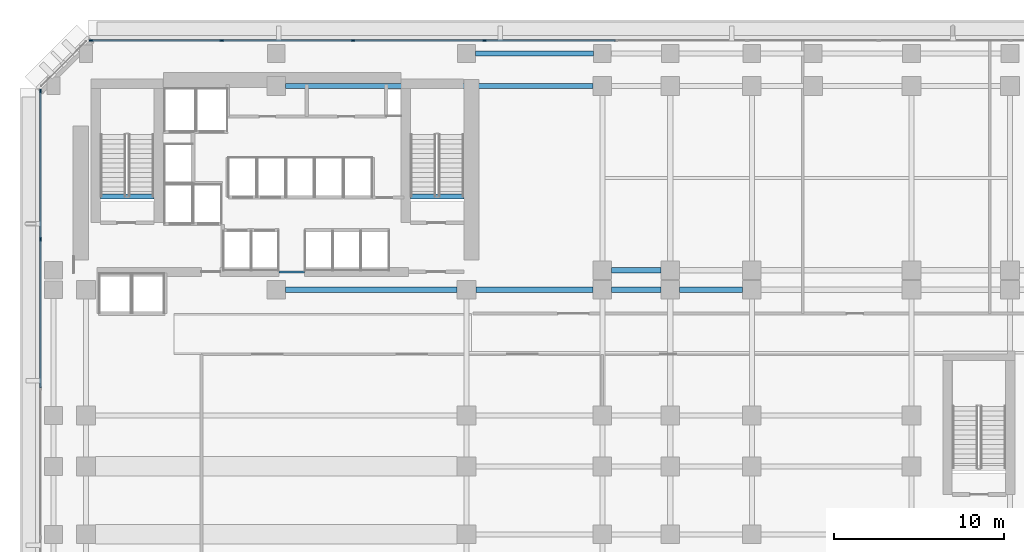
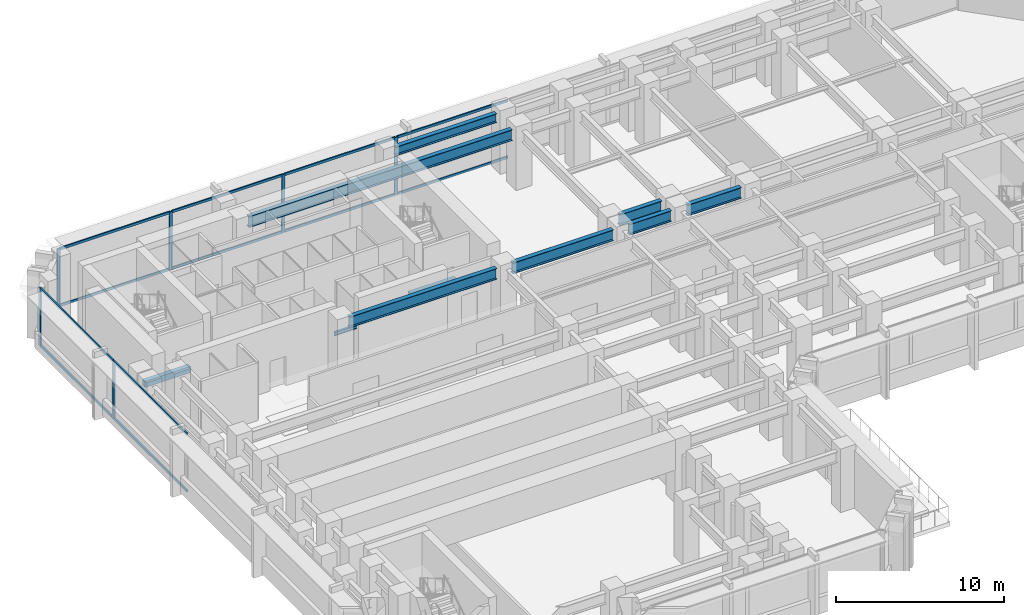
# One storey, part 4 of 16: 18 members, 10 beams, 2 elements without a shape of their own.
"""IFC4 building model written with IfcOpenShell, lengths in metres."""

from ifc_helpers import new_model, si_unit, direction, frame, origin, origin_2d, place, context, subcontext, project, spatial, rectangle, i_section, extrude, material, layer, layer_set, material_profile, profile_set, type_object, element, aggregate, save


model = new_model("IFC4")

# Units and contexts
model_context = context("Model", 3, precision=1e-05, world=origin(), true_north=direction((0.0, 1.0)))
body_context = subcontext(model_context, "Body", "Model", "MODEL_VIEW")
ifc_project = project(units=[si_unit("LENGTHUNIT", "METRE"), si_unit("AREAUNIT", "SQUARE_METRE"), si_unit("VOLUMEUNIT", "CUBIC_METRE"), si_unit("PLANEANGLEUNIT", "RADIAN"), si_unit("MASSUNIT", "GRAM", prefix="KILO")], contexts=[model_context])

# Site, building, storey
site_placement = place(None, origin())
site = spatial("IfcSite", under=ifc_project, at=site_placement, CompositionType="ELEMENT")
building_placement = place(site_placement, origin())
building = spatial("IfcBuilding", under=site, at=building_placement, Name="Kefirva Bronze Tower", CompositionType="ELEMENT")
storey_placement = place(building_placement, frame((0.0, 0.0, 21.1201171875)))
storey = spatial("IfcBuildingStorey", under=building, at=storey_placement, Name="L04", CompositionType="ELEMENT", Elevation=21.1201171875)

# Curtain wall, members
ifc_material_1 = material(Name="Bronze anodised aluminium", Category="aluminium")
ifc_layer = layer(ifc_material_1, 0.239990234375, Name="Bronze anodised aluminium")
ifc_layer_set = layer_set([ifc_layer], Name="Bronze anodised aluminium")
curtain_wall_type = type_object("IfcCurtainWallType", Name="Podium Double-Height Glazed Curtain Wall", PredefinedType="USERDEFINED", material=ifc_layer_set)
curtain_wall_1_placement = place(storey_placement, origin())
curtain_wall_1 = element("IfcCurtainWall", 1, at=curtain_wall_1_placement, inside=storey, type_object=curtain_wall_type, Name="L04 Curtain Wall 4", ObjectType="UNITISED CURTAIN WALL", PredefinedType="USERDEFINED")
ifc_material_profile_1 = material_profile(ifc_material_1, rectangle(XDim=0.090087890625, YDim=0.219970703125, at=origin_2d()), Name="ALU 90x220")
ifc_profile_set_1 = profile_set([ifc_material_profile_1], Name="Bronze anodised aluminium")
member_type_1 = type_object("IfcMemberType", Name="Bronze Mullion 90x220", PredefinedType="MULLION", material=ifc_profile_set_1)
member_1_placement = place(storey_placement, frame((24.263671875, 47.8798828125, 0.0), z_axis=(0.0, 0.0, 1.0), x_axis=(0.0, -1.0, 0.0)))
member_1 = element("IfcMember", 2, at=member_1_placement, type_object=member_type_1, Name="CW-05 mullion 6", PredefinedType="MULLION", context=body_context, shape_type="SweptSolid", body=[
    extrude(rectangle(XDim=0.090087890625, YDim=0.219970703125, at=origin_2d()), origin(), (0.0, 0.0, 1.0), 4.199951171875),
])
member_2_placement = place(storey_placement, frame((16.527587890625, 47.8798828125, 0.0), z_axis=(0.0, 0.0, 1.0), x_axis=(0.0, -1.0, 0.0)))
member_2 = element("IfcMember", 3, at=member_2_placement, type_object=member_type_1, Name="CW-05 mullion 7", PredefinedType="MULLION", context=body_context, shape_type="SweptSolid", body=[
    extrude(rectangle(XDim=0.090087890625, YDim=0.219970703125, at=origin_2d()), origin(), (0.0, 0.0, 1.0), 4.199951171875),
])
member_3_placement = place(storey_placement, frame((8.791259765625, 47.8798828125, 0.0), z_axis=(0.0, 0.0, 1.0), x_axis=(0.0, -1.0, 0.0)))
member_3 = element("IfcMember", 4, at=member_3_placement, type_object=member_type_1, Name="CW-05 mullion 8", PredefinedType="MULLION", context=body_context, shape_type="SweptSolid", body=[
    extrude(rectangle(XDim=0.090087890625, YDim=0.219970703125, at=origin_2d()), origin(), (0.0, 0.0, 1.0), 4.199951171875),
])
member_4_placement = place(storey_placement, frame((1.10009765625, 47.8798828125, 0.0), z_axis=(0.0, 0.0, 1.0), x_axis=(0.0, -1.0, 0.0)))
member_4 = element("IfcMember", 5, at=member_4_placement, type_object=member_type_1, Name="CW-05 mullion 9", PredefinedType="MULLION", context=body_context, shape_type="SweptSolid", body=[
    extrude(rectangle(XDim=0.090087890625, YDim=0.219970703125, at=origin_2d()), origin(), (0.0, 0.0, 1.0), 4.199951171875),
])

curtain_wall_2_placement = place(storey_placement, origin())
curtain_wall_2 = element("IfcCurtainWall", 6, at=curtain_wall_2_placement, inside=storey, type_object=curtain_wall_type, Name="L04 Curtain Wall 5", ObjectType="UNITISED CURTAIN WALL", PredefinedType="USERDEFINED")
member_5_placement = place(storey_placement, frame((-1.8798828125, 44.89990234375, 0.0), z_axis=(0.0, 0.0, 1.0), x_axis=(1.0, 0.0, 0.0)))
member_5 = element("IfcMember", 7, at=member_5_placement, type_object=member_type_1, Name="CW-05 mullion 1", PredefinedType="MULLION", context=body_context, shape_type="SweptSolid", body=[
    extrude(rectangle(XDim=0.090087890625, YDim=0.219970703125, at=origin_2d()), origin(), (0.0, 0.0, 1.0), 4.199951171875),
])
member_6_placement = place(storey_placement, frame((-1.8798828125, 36.1669921875, 0.0), z_axis=(0.0, 0.0, 1.0), x_axis=(1.0, 0.0, 0.0)))
member_6 = element("IfcMember", 8, at=member_6_placement, type_object=member_type_1, Name="CW-05 mullion 2", PredefinedType="MULLION", context=body_context, shape_type="SweptSolid", body=[
    extrude(rectangle(XDim=0.090087890625, YDim=0.219970703125, at=origin_2d()), origin(), (0.0, 0.0, 1.0), 4.199951171875),
])

# Member
ifc_material_profile_2 = material_profile(ifc_material_1, rectangle(XDim=0.090087890625, YDim=0.179931640625, at=origin_2d()), Name="ALU 90x180")
ifc_profile_set_2 = profile_set([ifc_material_profile_2], Name="Bronze anodised aluminium")
member_type_2 = type_object("IfcMemberType", Name="Bronze Transom 90x180", PredefinedType="USERDEFINED", material=ifc_profile_set_2)
member_7_placement = place(storey_placement, frame((31.955078125, 47.8798828125, 0.044921875), z_axis=(-1.0, 0.0, 0.0), x_axis=(0.0, -1.0, 0.0)))
member_7 = element("IfcMember", 9, at=member_7_placement, type_object=member_type_2, Name="CW-05 transom 5.1", ObjectType="TRANSOM", PredefinedType="USERDEFINED", context=body_context, shape_type="SweptSolid", body=[
    extrude(rectangle(XDim=0.090087890625, YDim=0.179931640625, at=origin_2d()), origin(), (0.0, 0.0, 1.0), 7.646240234375),
])

member_8_placement = place(storey_placement, frame((31.955078125, 47.8798828125, 4.15478515625), z_axis=(-1.0, 0.0, 0.0), x_axis=(0.0, -1.0, 0.0)))
member_8 = element("IfcMember", 10, at=member_8_placement, type_object=member_type_2, Name="CW-05 transom 5.2", ObjectType="TRANSOM", PredefinedType="USERDEFINED", context=body_context, shape_type="SweptSolid", body=[
    extrude(rectangle(XDim=0.090087890625, YDim=0.179931640625, at=origin_2d()), origin(), (0.0, 0.0, 1.0), 7.646240234375),
])

member_9_placement = place(storey_placement, frame((24.21875, 47.8798828125, 0.044921875), z_axis=(-1.0, 0.0, 0.0), x_axis=(0.0, -1.0, 0.0)))
member_9 = element("IfcMember", 11, at=member_9_placement, type_object=member_type_2, Name="CW-05 transom 6.1", ObjectType="TRANSOM", PredefinedType="USERDEFINED", context=body_context, shape_type="SweptSolid", body=[
    extrude(rectangle(XDim=0.090087890625, YDim=0.179931640625, at=origin_2d()), origin(), (0.0, 0.0, 1.0), 7.646240234375),
])

member_10_placement = place(storey_placement, frame((24.21875, 47.8798828125, 4.15478515625), z_axis=(-1.0, 0.0, 0.0), x_axis=(0.0, -1.0, 0.0)))
member_10 = element("IfcMember", 12, at=member_10_placement, type_object=member_type_2, Name="CW-05 transom 6.2", ObjectType="TRANSOM", PredefinedType="USERDEFINED", context=body_context, shape_type="SweptSolid", body=[
    extrude(rectangle(XDim=0.090087890625, YDim=0.179931640625, at=origin_2d()), origin(), (0.0, 0.0, 1.0), 7.646240234375),
])

member_11_placement = place(storey_placement, frame((16.482421875, 47.8798828125, 0.044921875), z_axis=(-1.0, 0.0, 0.0), x_axis=(0.0, -1.0, 0.0)))
member_11 = element("IfcMember", 13, at=member_11_placement, type_object=member_type_2, Name="CW-05 transom 7.1", ObjectType="TRANSOM", PredefinedType="USERDEFINED", context=body_context, shape_type="SweptSolid", body=[
    extrude(rectangle(XDim=0.090087890625, YDim=0.179931640625, at=origin_2d()), origin(), (0.0, 0.0, 1.0), 7.646240234375),
])

member_12_placement = place(storey_placement, frame((16.482421875, 47.8798828125, 4.15478515625), z_axis=(-1.0, 0.0, 0.0), x_axis=(0.0, -1.0, 0.0)))
member_12 = element("IfcMember", 14, at=member_12_placement, type_object=member_type_2, Name="CW-05 transom 7.2", ObjectType="TRANSOM", PredefinedType="USERDEFINED", context=body_context, shape_type="SweptSolid", body=[
    extrude(rectangle(XDim=0.090087890625, YDim=0.179931640625, at=origin_2d()), origin(), (0.0, 0.0, 1.0), 7.646240234375),
])

member_13_placement = place(storey_placement, frame((8.746337890625, 47.8798828125, 0.044921875), z_axis=(-1.0, 0.0, 0.0), x_axis=(0.0, -1.0, 0.0)))
member_13 = element("IfcMember", 15, at=member_13_placement, type_object=member_type_2, Name="CW-05 transom 8.1", ObjectType="TRANSOM", PredefinedType="USERDEFINED", context=body_context, shape_type="SweptSolid", body=[
    extrude(rectangle(XDim=0.090087890625, YDim=0.179931640625, at=origin_2d()), origin(), (0.0, 0.0, 1.0), 7.601318359375),
])

member_14_placement = place(storey_placement, frame((8.746337890625, 47.8798828125, 4.15478515625), z_axis=(-1.0, 0.0, 0.0), x_axis=(0.0, -1.0, 0.0)))
member_14 = element("IfcMember", 16, at=member_14_placement, type_object=member_type_2, Name="CW-05 transom 8.2", ObjectType="TRANSOM", PredefinedType="USERDEFINED", context=body_context, shape_type="SweptSolid", body=[
    extrude(rectangle(XDim=0.090087890625, YDim=0.179931640625, at=origin_2d()), origin(), (0.0, 0.0, 1.0), 7.601318359375),
])

aggregate(curtain_wall_1, [member_1, member_2, member_3, member_4, member_7, member_8, member_9, member_10, member_11, member_12, member_13, member_14])

member_15_placement = place(storey_placement, frame((-1.8798828125, 44.85498046875, 0.044921875), z_axis=(0.0, -1.0, 0.0), x_axis=(1.0, 0.0, 0.0)))
member_15 = element("IfcMember", 17, at=member_15_placement, type_object=member_type_2, Name="CW-05 transom 1.1", ObjectType="TRANSOM", PredefinedType="USERDEFINED", context=body_context, shape_type="SweptSolid", body=[
    extrude(rectangle(XDim=0.090087890625, YDim=0.179931640625, at=origin_2d()), origin(), (0.0, 0.0, 1.0), 8.64306640625),
])

member_16_placement = place(storey_placement, frame((-1.8798828125, 44.85498046875, 4.15478515625), z_axis=(0.0, -1.0, 0.0), x_axis=(1.0, 0.0, 0.0)))
member_16 = element("IfcMember", 18, at=member_16_placement, type_object=member_type_2, Name="CW-05 transom 1.2", ObjectType="TRANSOM", PredefinedType="USERDEFINED", context=body_context, shape_type="SweptSolid", body=[
    extrude(rectangle(XDim=0.090087890625, YDim=0.179931640625, at=origin_2d()), origin(), (0.0, 0.0, 1.0), 8.64306640625),
])

member_17_placement = place(storey_placement, frame((-1.8798828125, 36.1220703125, 0.044921875), z_axis=(0.0, -1.0, 0.0), x_axis=(1.0, 0.0, 0.0)))
member_17 = element("IfcMember", 19, at=member_17_placement, type_object=member_type_2, Name="CW-05 transom 2.1", ObjectType="TRANSOM", PredefinedType="USERDEFINED", context=body_context, shape_type="SweptSolid", body=[
    extrude(rectangle(XDim=0.090087890625, YDim=0.179931640625, at=origin_2d()), origin(), (0.0, 0.0, 1.0), 8.68798828125),
])

member_18_placement = place(storey_placement, frame((-1.8798828125, 36.1220703125, 4.15478515625), z_axis=(0.0, -1.0, 0.0), x_axis=(1.0, 0.0, 0.0)))
member_18 = element("IfcMember", 20, at=member_18_placement, type_object=member_type_2, Name="CW-05 transom 2.2", ObjectType="TRANSOM", PredefinedType="USERDEFINED", context=body_context, shape_type="SweptSolid", body=[
    extrude(rectangle(XDim=0.090087890625, YDim=0.179931640625, at=origin_2d()), origin(), (0.0, 0.0, 1.0), 8.68798828125),
])

aggregate(curtain_wall_2, [member_5, member_6, member_15, member_16, member_17, member_18])

# Beams
ifc_material_2 = material(Name="Concrete C50/60", Category="concrete")
ifc_material_profile_3 = material_profile(ifc_material_2, rectangle(XDim=0.300048828125, YDim=0.449951171875, at=origin_2d()), Name="RC 300x450")
ifc_profile_set_3 = profile_set([ifc_material_profile_3], Name="Concrete C50/60")
beam_type_1 = type_object("IfcBeamType", Name="RC Stair Trimmer Beam 300x450", PredefinedType="BEAM", material=ifc_profile_set_3)
beam_1_placement = place(storey_placement, frame((1.64501953125, 38.699951171875, -0.22509765625), z_axis=(1.0, 0.0, 0.0), x_axis=(0.0, 1.0, 0.0)))
element("IfcBeam", 21, at=beam_1_placement, inside=storey, type_object=beam_type_1, Name="L04 Stair 1 Landing Trimmer Beam", PredefinedType="BEAM", context=body_context, shape_type="SweptSolid", body=[
    extrude(rectangle(XDim=0.300048828125, YDim=0.449951171875, at=origin_2d()), origin(), (0.0, 0.0, 1.0), 3.14990234375),
])
beam_2_placement = place(storey_placement, frame((19.89501953125, 38.699951171875, -0.22509765625), z_axis=(1.0, 0.0, 0.0), x_axis=(0.0, 1.0, 0.0)))
element("IfcBeam", 22, at=beam_2_placement, inside=storey, type_object=beam_type_1, Name="L04 Stair 2 Landing Trimmer Beam", PredefinedType="BEAM", context=body_context, shape_type="SweptSolid", body=[
    extrude(rectangle(XDim=0.300048828125, YDim=0.449951171875, at=origin_2d()), origin(), (0.0, 0.0, 1.0), 3.159912109375),
])
ifc_material_3 = material(Name="Steel S355", Category="steel")
ifc_material_profile_4 = material_profile(ifc_material_3, i_section(OverallWidth=0.300048828125, OverallDepth=0.800048828125, WebThickness=0.017578125, FlangeThickness=0.032958984375, at=origin_2d()), Name="HEB 800")
ifc_profile_set_4 = profile_set([ifc_material_profile_4], Name="Steel S355")
beam_type_2 = type_object("IfcBeamType", Name="Steel Girder HEB 800", PredefinedType="USERDEFINED", material=ifc_profile_set_4)
beam_3_placement = place(storey_placement, frame((12.550048828125, 33.199951171875, 3.7998046875), z_axis=(1.0, 0.0, 0.0), x_axis=(0.0, 1.0, 0.0)))
element("IfcBeam", 23, at=beam_3_placement, inside=storey, type_object=beam_type_2, Name="L04 BM-L04-EW-12-332", ObjectType="GIRDER", PredefinedType="USERDEFINED", context=body_context, shape_type="SweptSolid", body=[
    extrude(i_section(OverallWidth=0.300048828125, OverallDepth=0.800048828125, WebThickness=0.017578125, FlangeThickness=0.032958984375, at=origin_2d()), origin(), (0.0, 0.0, 1.0), 10.099853515625),
])
beam_4_placement = place(storey_placement, frame((23.75, 33.199951171875, 3.7998046875), z_axis=(1.0, 0.0, 0.0), x_axis=(0.0, 1.0, 0.0)))
element("IfcBeam", 24, at=beam_4_placement, inside=storey, type_object=beam_type_2, Name="L04 BM-L04-EW-23-332", ObjectType="GIRDER", PredefinedType="USERDEFINED", context=body_context, shape_type="SweptSolid", body=[
    extrude(i_section(OverallWidth=0.300048828125, OverallDepth=0.800048828125, WebThickness=0.017578125, FlangeThickness=0.032958984375, at=origin_2d()), origin(), (0.0, 0.0, 1.0), 6.89990234375),
])
beam_5_placement = place(storey_placement, frame((31.75, 33.199951171875, 3.7998046875), z_axis=(1.0, 0.0, 0.0), x_axis=(0.0, 1.0, 0.0)))
element("IfcBeam", 25, at=beam_5_placement, inside=storey, type_object=beam_type_2, Name="L04 BM-L04-EW-31-332", ObjectType="GIRDER", PredefinedType="USERDEFINED", context=body_context, shape_type="SweptSolid", body=[
    extrude(i_section(OverallWidth=0.300048828125, OverallDepth=0.800048828125, WebThickness=0.017578125, FlangeThickness=0.032958984375, at=origin_2d()), origin(), (0.0, 0.0, 1.0), 2.89990234375),
])
beam_6_placement = place(storey_placement, frame((35.75, 33.199951171875, 3.7998046875), z_axis=(1.0, 0.0, 0.0), x_axis=(0.0, 1.0, 0.0)))
element("IfcBeam", 26, at=beam_6_placement, inside=storey, type_object=beam_type_2, Name="L04 BM-L04-EW-35-332", ObjectType="GIRDER", PredefinedType="USERDEFINED", context=body_context, shape_type="SweptSolid", body=[
    extrude(i_section(OverallWidth=0.300048828125, OverallDepth=0.800048828125, WebThickness=0.017578125, FlangeThickness=0.032958984375, at=origin_2d()), origin(), (0.0, 0.0, 1.0), 3.699951171875),
])
beam_7_placement = place(storey_placement, frame((31.75, 34.35009765625, 3.7998046875), z_axis=(1.0, 0.0, 0.0), x_axis=(0.0, 1.0, 0.0)))
element("IfcBeam", 27, at=beam_7_placement, inside=storey, type_object=beam_type_2, Name="L04 BM-L04-EW-31-344", ObjectType="GIRDER", PredefinedType="USERDEFINED", context=body_context, shape_type="SweptSolid", body=[
    extrude(i_section(OverallWidth=0.300048828125, OverallDepth=0.800048828125, WebThickness=0.017578125, FlangeThickness=0.032958984375, at=origin_2d()), origin(), (0.0, 0.0, 1.0), 2.89990234375),
])
beam_8_placement = place(storey_placement, frame((12.550048828125, 45.199951171875, 3.7998046875), z_axis=(1.0, 0.0, 0.0), x_axis=(0.0, 1.0, 0.0)))
element("IfcBeam", 28, at=beam_8_placement, inside=storey, type_object=beam_type_2, Name="L04 BM-L04-EW-12-452", ObjectType="GIRDER", PredefinedType="USERDEFINED", context=body_context, shape_type="SweptSolid", body=[
    extrude(i_section(OverallWidth=0.300048828125, OverallDepth=0.800048828125, WebThickness=0.017578125, FlangeThickness=0.032958984375, at=origin_2d()), origin(), (0.0, 0.0, 1.0), 18.099853515625),
])
ifc_material_profile_5 = material_profile(ifc_material_3, i_section(OverallWidth=0.135009765625, OverallDepth=0.27001953125, WebThickness=0.006591796875, FlangeThickness=0.01025390625, at=origin_2d()), Name="IPE 270")
ifc_profile_set_5 = profile_set([ifc_material_profile_5], Name="Steel S355")
beam_type_3 = type_object("IfcBeamType", Name="Steel Opening Lintel IPE 270", PredefinedType="LINTEL", material=ifc_profile_set_5)
beam_9_placement = place(storey_placement, frame((12.159912109375, 34.25, 2.39990234375), z_axis=(1.0, 0.0, 0.0), x_axis=(0.0, 1.0, 0.0)))
element("IfcBeam", 29, at=beam_9_placement, inside=storey, type_object=beam_type_3, Name="L04 Core Lobby Lintel", PredefinedType="LINTEL", context=body_context, shape_type="SweptSolid", body=[
    extrude(i_section(OverallWidth=0.135009765625, OverallDepth=0.27001953125, WebThickness=0.006591796875, FlangeThickness=0.01025390625, at=origin_2d()), origin(), (0.0, 0.0, 1.0), 1.52001953125),
])
ifc_material_profile_6 = material_profile(ifc_material_3, i_section(OverallWidth=0.300048828125, OverallDepth=0.64990234375, WebThickness=0.01611328125, FlangeThickness=0.031005859375, at=origin_2d()), Name="HEB 650")
ifc_profile_set_6 = profile_set([ifc_material_profile_6], Name="Steel S355")
beam_type_4 = type_object("IfcBeamType", Name="Steel Spandrel HEB 650 Ext", PredefinedType="SPANDREL", material=ifc_profile_set_6)
beam_10_placement = place(storey_placement, frame((23.72509765625, 47.10009765625, 3.875), z_axis=(1.0, 0.0, 0.0), x_axis=(0.0, 1.0, 0.0)))
element("IfcBeam", 30, at=beam_10_placement, inside=storey, type_object=beam_type_4, Name="L04 BM-L04-EW-23-471", PredefinedType="SPANDREL", context=body_context, shape_type="SweptSolid", body=[
    extrude(i_section(OverallWidth=0.300048828125, OverallDepth=0.64990234375, WebThickness=0.01611328125, FlangeThickness=0.031005859375, at=origin_2d()), origin(), (0.0, 0.0, 1.0), 6.949951171875),
])

save(model, "model.ifc")
